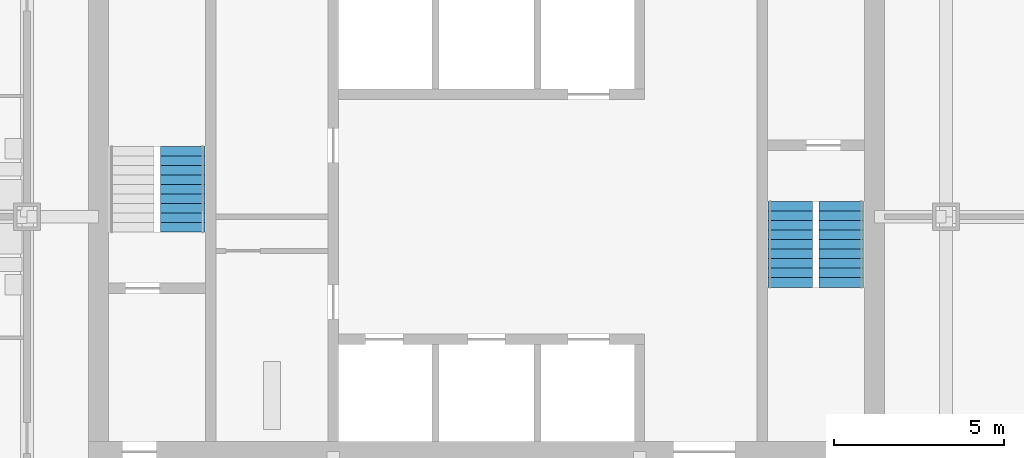
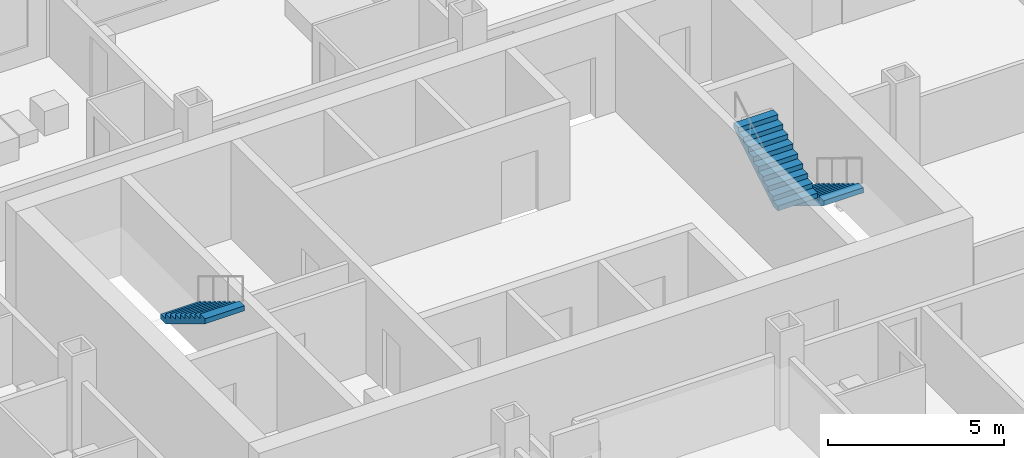
# One storey, part 15 of 18: 3 stair flights, 2 elements without a shape of their own.
"""IFC4 building model written with IfcOpenShell, lengths in metres."""

from ifc_helpers import new_model, si_unit, direction, frame, origin, place, context, subcontext, project, spatial, polyline, outline, extrude, material, type_object, element, aggregate, save


model = new_model("IFC4")

# Units and contexts
model_context = context("Model", 3, precision=1e-05, world=origin(), true_north=direction((0.0, 1.0)))
body_context = subcontext(model_context, "Body", "Model", "MODEL_VIEW")
ifc_project = project(units=[si_unit("LENGTHUNIT", "METRE"), si_unit("AREAUNIT", "SQUARE_METRE"), si_unit("VOLUMEUNIT", "CUBIC_METRE"), si_unit("PLANEANGLEUNIT", "RADIAN"), si_unit("MASSUNIT", "GRAM", prefix="KILO")], contexts=[model_context])

# Site, building, storey
site_placement = place(None, origin())
site = spatial("IfcSite", under=ifc_project, at=site_placement, CompositionType="ELEMENT")
building_placement = place(site_placement, origin())
building = spatial("IfcBuilding", under=site, at=building_placement, Name="Loomwork Tower", CompositionType="ELEMENT")
storey_placement = place(building_placement, frame((0.0, 0.0, 28.0)))
storey = spatial("IfcBuildingStorey", under=building, at=storey_placement, Name="L05", CompositionType="ELEMENT", Elevation=28.0)

# Stair, stair flight
ifc_material_1 = material(Name="Concrete 5000 psi (34 MPa) precast stair", Category="concrete")
stair_type_1 = type_object("IfcStairType", Name="Stair ST-A 20 risers 2850 wide", PredefinedType="HALF_TURN_STAIR", material=ifc_material_1)
stair_1_placement = place(storey_placement, origin())
stair_1 = element("IfcStair", 1, at=stair_1_placement, inside=storey, type_object=stair_type_1, Name="Stair A L05", PredefinedType="HALF_TURN_STAIR")
ifc_material_2 = material(Name="Concrete 5000 psi (34 MPa) precast stair", Category="concrete")
stair_flight_type_1 = type_object("IfcStairFlightType", Name="Stair flight ST-A 10 risers 1300 wide", PredefinedType="STRAIGHT", material=ifc_material_2)
stair_flight_1_placement = place(storey_placement, frame((13.574951171875, 20.070068359375, 1.699951171875), z_axis=(0.0, 0.0, 1.0), x_axis=(0.0, -1.0, 0.0)))
stair_flight_1 = element("IfcStairFlight", 2, at=stair_flight_1_placement, type_object=stair_flight_type_1, Name="ST-A flight 2", NumberOfRisers=10, NumberOfTreads=9, PredefinedType="STRAIGHT", RiserHeight=0.17, TreadLength=0.28, context=body_context, shape_type="SweptSolid", body=[
    extrude(outline(polyline([(0.0, 0.0), (0.0, 0.169921875), (0.280029296875, 0.169921875), (0.280029296875, 0.340087890625), (0.56005859375, 0.340087890625), (0.56005859375, 0.510009765625), (0.840087890625, 0.510009765625), (0.840087890625, 0.679931640625), (1.1201171875, 0.679931640625), (1.1201171875, 0.85009765625), (1.39990234375, 0.85009765625), (1.39990234375, 1.02001953125), (1.679931640625, 1.02001953125), (1.679931640625, 1.18994140625), (1.9599609375, 1.18994140625), (1.9599609375, 1.360107421875), (2.239990234375, 1.360107421875), (2.239990234375, 1.530029296875), (2.52001953125, 1.530029296875), (2.52001953125, 1.699951171875), (2.52001953125, 1.354736328125), (0.288818359375, 0.0), (0.0, 0.0)])), frame((0.0, 0.64990234375, 0.0), z_axis=(0.0, -1.0, 0.0), x_axis=(1.0, 0.0, 0.0)), (0.0, 0.0, 1.0), 1.300048828125),
])
aggregate(stair_1, [stair_flight_1])

# Stair, stair flights
ifc_material_3 = material(Name="Concrete 5000 psi (34 MPa) precast stair", Category="concrete")
stair_type_2 = type_object("IfcStairType", Name="Stair ST-B 20 risers 2850 wide", PredefinedType="HALF_TURN_STAIR", material=ifc_material_3)
stair_2_placement = place(storey_placement, origin())
stair_2 = element("IfcStair", 3, at=stair_2_placement, inside=storey, type_object=stair_type_2, Name="Stair B L05", PredefinedType="HALF_TURN_STAIR")
ifc_material_4 = material(Name="Concrete 5000 psi (34 MPa) precast stair", Category="concrete")
stair_flight_type_2 = type_object("IfcStairFlightType", Name="Stair flight ST-B 10 risers 1300 wide", PredefinedType="STRAIGHT", material=ifc_material_4)
stair_flight_2_placement = place(storey_placement, frame((32.925048828125, 18.449951171875, 0.0), z_axis=(0.0, 0.0, 1.0), x_axis=(0.0, -1.0, 0.0)))
stair_flight_2 = element("IfcStairFlight", 4, at=stair_flight_2_placement, type_object=stair_flight_type_2, Name="ST-B flight 1", NumberOfRisers=10, NumberOfTreads=9, PredefinedType="STRAIGHT", RiserHeight=0.17, TreadLength=0.28, context=body_context, shape_type="SweptSolid", body=[
    extrude(outline(polyline([(0.0, 0.0), (0.0, 0.169921875), (0.280029296875, 0.169921875), (0.280029296875, 0.340087890625), (0.56005859375, 0.340087890625), (0.56005859375, 0.510009765625), (0.840087890625, 0.510009765625), (0.840087890625, 0.679931640625), (1.1201171875, 0.679931640625), (1.1201171875, 0.85009765625), (1.39990234375, 0.85009765625), (1.39990234375, 1.02001953125), (1.679931640625, 1.02001953125), (1.679931640625, 1.18994140625), (1.9599609375, 1.18994140625), (1.9599609375, 1.360107421875), (2.239990234375, 1.360107421875), (2.239990234375, 1.530029296875), (2.52001953125, 1.530029296875), (2.52001953125, 1.699951171875), (2.52001953125, 1.354736328125), (0.288818359375, 0.0), (0.0, 0.0)])), frame((0.0, 0.64990234375, 0.0), z_axis=(0.0, -1.0, 0.0), x_axis=(1.0, 0.0, 0.0)), (0.0, 0.0, 1.0), 1.300048828125),
])
stair_flight_3_placement = place(storey_placement, frame((31.425048828125, 15.929931640625, 1.699951171875), z_axis=(0.0, 0.0, 1.0), x_axis=(0.0, 1.0, 0.0)))
stair_flight_3 = element("IfcStairFlight", 5, at=stair_flight_3_placement, type_object=stair_flight_type_2, Name="ST-B flight 2", NumberOfRisers=10, NumberOfTreads=9, PredefinedType="STRAIGHT", RiserHeight=0.17, TreadLength=0.28, context=body_context, shape_type="SweptSolid", body=[
    extrude(outline(polyline([(0.0, 0.0), (0.0, 0.169921875), (0.280029296875, 0.169921875), (0.280029296875, 0.340087890625), (0.56005859375, 0.340087890625), (0.56005859375, 0.510009765625), (0.840087890625, 0.510009765625), (0.840087890625, 0.679931640625), (1.1201171875, 0.679931640625), (1.1201171875, 0.85009765625), (1.39990234375, 0.85009765625), (1.39990234375, 1.02001953125), (1.679931640625, 1.02001953125), (1.679931640625, 1.18994140625), (1.9599609375, 1.18994140625), (1.9599609375, 1.360107421875), (2.239990234375, 1.360107421875), (2.239990234375, 1.530029296875), (2.52001953125, 1.530029296875), (2.52001953125, 1.699951171875), (2.52001953125, 1.354736328125), (0.288818359375, 0.0), (0.0, 0.0)])), frame((0.0, 0.64990234375, 0.0), z_axis=(0.0, -1.0, 0.0), x_axis=(1.0, 0.0, 0.0)), (0.0, 0.0, 1.0), 1.300048828125),
])
aggregate(stair_2, [stair_flight_2, stair_flight_3])

save(model, "model.ifc")
